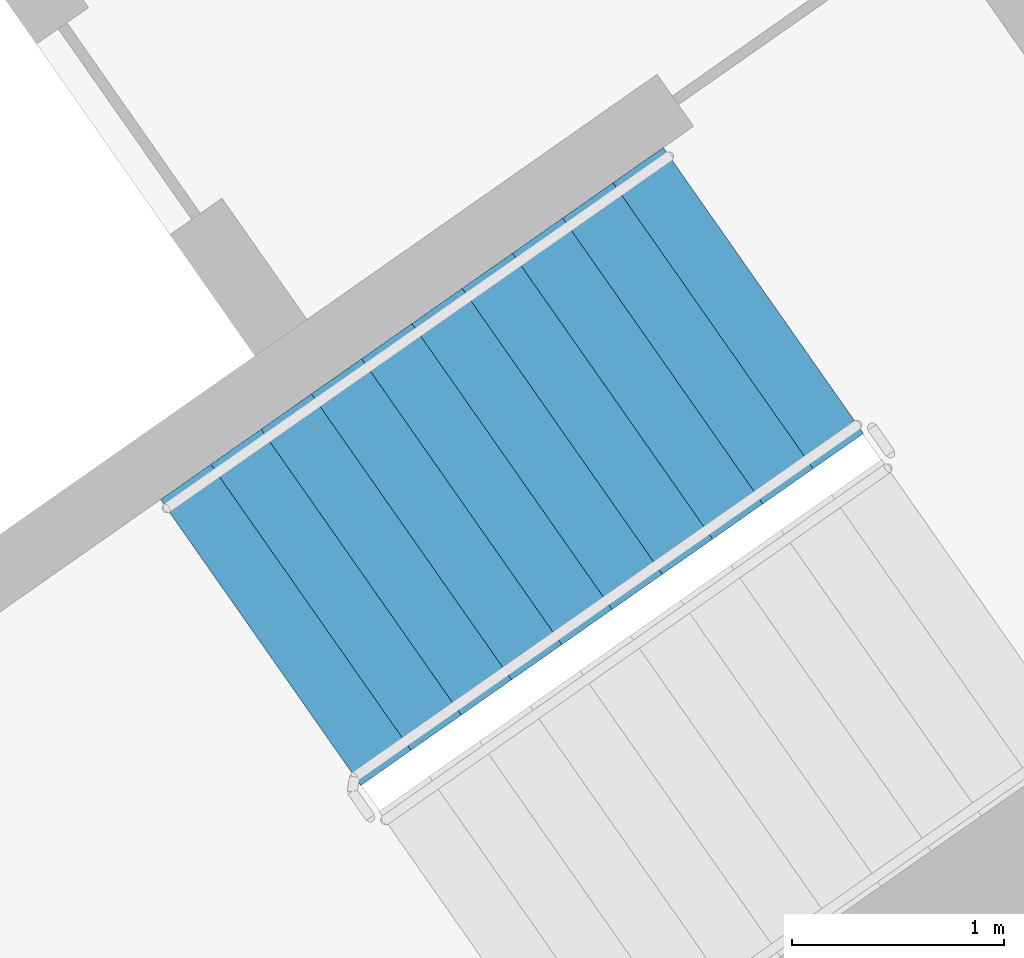
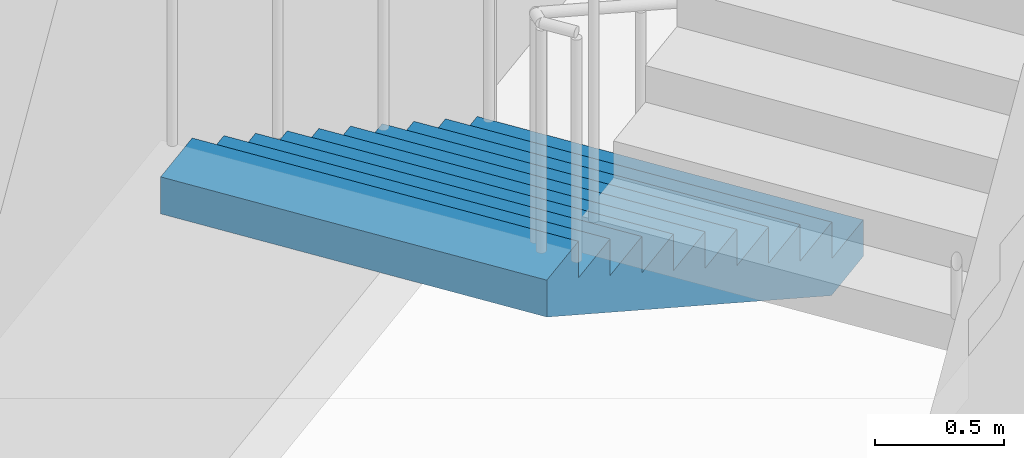
# One storey, part 14 of 26: 1 stair flight, 1 element without a shape of its own.
"""IFC4 building model written with IfcOpenShell, lengths in metres."""

from ifc_helpers import new_model, si_unit, direction, frame, origin, place, context, subcontext, project, spatial, faceted_brep, material, type_object, element, aggregate, save


model = new_model("IFC4")

# Units and contexts
model_context = context("Model", 3, precision=1e-05, world=origin(), true_north=direction((0.0, 1.0)))
body_context = subcontext(model_context, "Body", "Model", "MODEL_VIEW")
ifc_project = project(units=[si_unit("LENGTHUNIT", "METRE"), si_unit("AREAUNIT", "SQUARE_METRE"), si_unit("VOLUMEUNIT", "CUBIC_METRE"), si_unit("PLANEANGLEUNIT", "RADIAN"), si_unit("MASSUNIT", "GRAM", prefix="KILO")], contexts=[model_context])

# Site, building, storey
site_placement = place(None, origin())
site = spatial("IfcSite", under=ifc_project, at=site_placement, CompositionType="ELEMENT")
building_placement = place(site_placement, origin())
building = spatial("IfcBuilding", under=site, at=building_placement, Name="Qamariyya Broadcast Tower", CompositionType="ELEMENT")
storey_placement = place(building_placement, frame((0.0, 0.0, 160.699951171875)))
storey = spatial("IfcBuildingStorey", under=building, at=storey_placement, Name="L37", CompositionType="ELEMENT", Elevation=160.699951171875)

# Stair, stair flight
ifc_material = material(Name="Concrete C50/60", Category="concrete")
stair_type = type_object("IfcStairType", Name="Exit stair 22 risers of 173 mm", PredefinedType="HALF_TURN_STAIR", material=ifc_material)
stair_placement = place(storey_placement, origin())
stair = element("IfcStair", 1, at=stair_placement, inside=storey, type_object=stair_type, Name="L37 Stair E1", PredefinedType="HALF_TURN_STAIR")
stair_flight_type = type_object("IfcStairFlightType", Name="Exit stair flight 11 risers of 173 mm", PredefinedType="STRAIGHT", material=ifc_material)
stair_flight_placement = place(storey_placement, frame((46.036376953125, -55.508056640625, 0.0), z_axis=(0.0, 0.0, 1.0), x_axis=(-0.819152044289, -0.573576436351, 0.0)))
stair_flight = element("IfcStairFlight", 2, at=stair_flight_placement, type_object=stair_flight_type, Name="ST-E1 flight 1", NumberOfRisers=11, NumberOfTreads=10, PredefinedType="STRAIGHT", RiserHeight=0.172727273, TreadLength=0.29, context=body_context, shape_type="Brep", body=[
    faceted_brep([(0.0, 0.824951171875, 0.0), (0.0, 0.824951171875, 0.172607421875), (0.2900390625, 0.824951171875, 0.172607421875), (0.2900390625, 0.824951171875, 0.345458984375), (0.580078125, 0.824951171875, 0.345458984375), (0.580078125, 0.824951171875, 0.51806640625), (0.8701171875, 0.824951171875, 0.51806640625), (0.8701171875, 0.824951171875, 0.69091796875), (1.159912109375, 0.824951171875, 0.69091796875), (1.159912109375, 0.824951171875, 0.863525390625), (1.449951171875, 0.824951171875, 0.863525390625), (1.449951171875, 0.824951171875, 1.036376953125), (1.739990234375, 0.824951171875, 1.036376953125), (1.739990234375, 0.824951171875, 1.208984375), (2.030029296875, 0.824951171875, 1.208984375), (2.030029296875, 0.824951171875, 1.3818359375), (2.320068359375, 0.824951171875, 1.3818359375), (2.320068359375, 0.824951171875, 1.554443359375), (2.610107421875, 0.824951171875, 1.554443359375), (2.610107421875, 0.824951171875, 1.727294921875), (2.89990234375, 0.824951171875, 1.727294921875), (2.89990234375, 0.824951171875, 1.552734375), (0.29296875, 0.824951171875, 0.0), (0.29296875, -0.824951171875, 0.0), (2.89990234375, -0.824951171875, 1.552734375), (2.89990234375, -0.824951171875, 1.727294921875), (2.610107421875, -0.824951171875, 1.727294921875), (2.610107421875, -0.824951171875, 1.554443359375), (2.320068359375, -0.824951171875, 1.554443359375), (2.320068359375, -0.824951171875, 1.3818359375), (2.030029296875, -0.824951171875, 1.3818359375), (2.030029296875, -0.824951171875, 1.208984375), (1.739990234375, -0.824951171875, 1.208984375), (1.739990234375, -0.824951171875, 1.036376953125), (1.449951171875, -0.824951171875, 1.036376953125), (1.449951171875, -0.824951171875, 0.863525390625), (1.159912109375, -0.824951171875, 0.863525390625), (1.159912109375, -0.824951171875, 0.69091796875), (0.8701171875, -0.824951171875, 0.69091796875), (0.8701171875, -0.824951171875, 0.51806640625), (0.580078125, -0.824951171875, 0.51806640625), (0.580078125, -0.824951171875, 0.345458984375), (0.2900390625, -0.824951171875, 0.345458984375), (0.2900390625, -0.824951171875, 0.172607421875), (0.0, -0.824951171875, 0.172607421875), (0.0, -0.824951171875, 0.0), (0.0, 0.10009765625, 0.0), (0.0, 0.086669921875, 0.0), (0.0, 0.0732421875, 0.0), (0.0, 0.06005859375, 0.0), (0.0, 0.046630859375, 0.0), (0.0, 0.033447265625, 0.0), (0.0, 0.02001953125, 0.0), (0.0, 0.006591796875, 0.0), (0.0, -0.006591796875, 0.0), (0.0, -0.02001953125, 0.0), (0.0, -0.033447265625, 0.0), (0.0, -0.046630859375, 0.0), (0.0, -0.06005859375, 0.0), (0.0, -0.0732421875, 0.0), (0.0, -0.086669921875, 0.0), (0.0, -0.10009765625, 0.0), (0.0, -0.10009765625, 0.172607421875), (0.0, -0.086669921875, 0.172607421875), (0.0, -0.0732421875, 0.172607421875), (0.0, -0.06005859375, 0.172607421875), (0.0, -0.046630859375, 0.172607421875), (0.0, -0.033447265625, 0.172607421875), (0.0, -0.02001953125, 0.172607421875), (0.0, -0.006591796875, 0.172607421875), (0.0, 0.006591796875, 0.172607421875), (0.0, 0.02001953125, 0.172607421875), (0.0, 0.033447265625, 0.172607421875), (0.0, 0.046630859375, 0.172607421875), (0.0, 0.06005859375, 0.172607421875), (0.0, 0.0732421875, 0.172607421875), (0.0, 0.086669921875, 0.172607421875), (0.0, 0.10009765625, 0.172607421875), (0.2900390625, -0.10009765625, 0.172607421875), (0.2900390625, -0.086669921875, 0.172607421875), (0.2900390625, -0.0732421875, 0.172607421875), (0.2900390625, -0.06005859375, 0.172607421875), (0.2900390625, -0.046630859375, 0.172607421875), (0.2900390625, -0.033447265625, 0.172607421875), (0.2900390625, -0.02001953125, 0.172607421875), (0.2900390625, -0.006591796875, 0.172607421875), (0.2900390625, 0.006591796875, 0.172607421875), (0.2900390625, 0.02001953125, 0.172607421875), (0.2900390625, 0.033447265625, 0.172607421875), (0.2900390625, 0.046630859375, 0.172607421875), (0.2900390625, 0.06005859375, 0.172607421875), (0.2900390625, 0.0732421875, 0.172607421875), (0.2900390625, 0.086669921875, 0.172607421875), (0.2900390625, 0.10009765625, 0.172607421875), (0.2900390625, -0.10009765625, 0.345458984375), (0.2900390625, -0.086669921875, 0.345458984375), (0.2900390625, -0.0732421875, 0.345458984375), (0.2900390625, -0.06005859375, 0.345458984375), (0.2900390625, -0.046630859375, 0.345458984375), (0.2900390625, -0.033447265625, 0.345458984375), (0.2900390625, -0.02001953125, 0.345458984375), (0.2900390625, -0.006591796875, 0.345458984375), (0.2900390625, 0.006591796875, 0.345458984375), (0.2900390625, 0.02001953125, 0.345458984375), (0.2900390625, 0.033447265625, 0.345458984375), (0.2900390625, 0.046630859375, 0.345458984375), (0.2900390625, 0.06005859375, 0.345458984375), (0.2900390625, 0.0732421875, 0.345458984375), (0.2900390625, 0.086669921875, 0.345458984375), (0.2900390625, 0.10009765625, 0.345458984375), (0.580078125, -0.10009765625, 0.345458984375), (0.580078125, -0.086669921875, 0.345458984375), (0.580078125, -0.0732421875, 0.345458984375), (0.580078125, -0.06005859375, 0.345458984375), (0.580078125, -0.046630859375, 0.345458984375), (0.580078125, -0.033447265625, 0.345458984375), (0.580078125, -0.02001953125, 0.345458984375), (0.580078125, -0.006591796875, 0.345458984375), (0.580078125, 0.006591796875, 0.345458984375), (0.580078125, 0.02001953125, 0.345458984375), (0.580078125, 0.033447265625, 0.345458984375), (0.580078125, 0.046630859375, 0.345458984375), (0.580078125, 0.06005859375, 0.345458984375), (0.580078125, 0.0732421875, 0.345458984375), (0.580078125, 0.086669921875, 0.345458984375), (0.580078125, 0.10009765625, 0.345458984375), (0.580078125, -0.10009765625, 0.51806640625), (0.580078125, -0.086669921875, 0.51806640625), (0.580078125, -0.0732421875, 0.51806640625), (0.580078125, -0.06005859375, 0.51806640625), (0.580078125, -0.046630859375, 0.51806640625), (0.580078125, -0.033447265625, 0.51806640625), (0.580078125, -0.02001953125, 0.51806640625), (0.580078125, -0.006591796875, 0.51806640625), (0.580078125, 0.006591796875, 0.51806640625), (0.580078125, 0.02001953125, 0.51806640625), (0.580078125, 0.033447265625, 0.51806640625), (0.580078125, 0.046630859375, 0.51806640625), (0.580078125, 0.06005859375, 0.51806640625), (0.580078125, 0.0732421875, 0.51806640625), (0.580078125, 0.086669921875, 0.51806640625), (0.580078125, 0.10009765625, 0.51806640625), (0.8701171875, -0.10009765625, 0.51806640625), (0.8701171875, -0.086669921875, 0.51806640625), (0.8701171875, -0.0732421875, 0.51806640625), (0.8701171875, -0.06005859375, 0.51806640625), (0.8701171875, -0.046630859375, 0.51806640625), (0.8701171875, -0.033447265625, 0.51806640625), (0.8701171875, -0.02001953125, 0.51806640625), (0.8701171875, -0.006591796875, 0.51806640625), (0.8701171875, 0.006591796875, 0.51806640625), (0.8701171875, 0.02001953125, 0.51806640625), (0.8701171875, 0.033447265625, 0.51806640625), (0.8701171875, 0.046630859375, 0.51806640625), (0.8701171875, 0.06005859375, 0.51806640625), (0.8701171875, 0.0732421875, 0.51806640625), (0.8701171875, 0.086669921875, 0.51806640625), (0.8701171875, 0.10009765625, 0.51806640625), (0.8701171875, -0.10009765625, 0.69091796875), (0.8701171875, -0.086669921875, 0.69091796875), (0.8701171875, -0.0732421875, 0.69091796875), (0.8701171875, -0.06005859375, 0.69091796875), (0.8701171875, -0.046630859375, 0.69091796875), (0.8701171875, -0.033447265625, 0.69091796875), (0.8701171875, -0.02001953125, 0.69091796875), (0.8701171875, -0.006591796875, 0.69091796875), (0.8701171875, 0.006591796875, 0.69091796875), (0.8701171875, 0.02001953125, 0.69091796875), (0.8701171875, 0.033447265625, 0.69091796875), (0.8701171875, 0.046630859375, 0.69091796875), (0.8701171875, 0.06005859375, 0.69091796875), (0.8701171875, 0.0732421875, 0.69091796875), (0.8701171875, 0.086669921875, 0.69091796875), (0.8701171875, 0.10009765625, 0.69091796875), (1.159912109375, -0.10009765625, 0.69091796875), (1.159912109375, -0.086669921875, 0.69091796875), (1.159912109375, -0.0732421875, 0.69091796875), (1.159912109375, -0.06005859375, 0.69091796875), (1.159912109375, -0.046630859375, 0.69091796875), (1.159912109375, -0.033447265625, 0.69091796875), (1.159912109375, -0.02001953125, 0.69091796875), (1.159912109375, -0.006591796875, 0.69091796875), (1.159912109375, 0.006591796875, 0.69091796875), (1.159912109375, 0.02001953125, 0.69091796875), (1.159912109375, 0.033447265625, 0.69091796875), (1.159912109375, 0.046630859375, 0.69091796875), (1.159912109375, 0.06005859375, 0.69091796875), (1.159912109375, 0.0732421875, 0.69091796875), (1.159912109375, 0.086669921875, 0.69091796875), (1.159912109375, 0.10009765625, 0.69091796875), (1.159912109375, -0.10009765625, 0.863525390625), (1.159912109375, -0.086669921875, 0.863525390625), (1.159912109375, -0.0732421875, 0.863525390625), (1.159912109375, -0.06005859375, 0.863525390625), (1.159912109375, -0.046630859375, 0.863525390625), (1.159912109375, -0.033447265625, 0.863525390625), (1.159912109375, -0.02001953125, 0.863525390625), (1.159912109375, -0.006591796875, 0.863525390625), (1.159912109375, 0.006591796875, 0.863525390625), (1.159912109375, 0.02001953125, 0.863525390625), (1.159912109375, 0.033447265625, 0.863525390625), (1.159912109375, 0.046630859375, 0.863525390625), (1.159912109375, 0.06005859375, 0.863525390625), (1.159912109375, 0.0732421875, 0.863525390625), (1.159912109375, 0.086669921875, 0.863525390625), (1.159912109375, 0.10009765625, 0.863525390625), (1.449951171875, -0.10009765625, 0.863525390625), (1.449951171875, -0.086669921875, 0.863525390625), (1.449951171875, -0.0732421875, 0.863525390625), (1.449951171875, -0.06005859375, 0.863525390625), (1.449951171875, -0.046630859375, 0.863525390625), (1.449951171875, -0.033447265625, 0.863525390625), (1.449951171875, -0.02001953125, 0.863525390625), (1.449951171875, -0.006591796875, 0.863525390625), (1.449951171875, 0.006591796875, 0.863525390625), (1.449951171875, 0.02001953125, 0.863525390625), (1.449951171875, 0.033447265625, 0.863525390625), (1.449951171875, 0.046630859375, 0.863525390625), (1.449951171875, 0.06005859375, 0.863525390625), (1.449951171875, 0.0732421875, 0.863525390625), (1.449951171875, 0.086669921875, 0.863525390625), (1.449951171875, 0.10009765625, 0.863525390625), (1.449951171875, -0.10009765625, 1.036376953125), (1.449951171875, -0.086669921875, 1.036376953125), (1.449951171875, -0.0732421875, 1.036376953125), (1.449951171875, -0.06005859375, 1.036376953125), (1.449951171875, -0.046630859375, 1.036376953125), (1.449951171875, -0.033447265625, 1.036376953125), (1.449951171875, -0.02001953125, 1.036376953125), (1.449951171875, -0.006591796875, 1.036376953125), (1.449951171875, 0.006591796875, 1.036376953125), (1.449951171875, 0.02001953125, 1.036376953125), (1.449951171875, 0.033447265625, 1.036376953125), (1.449951171875, 0.046630859375, 1.036376953125), (1.449951171875, 0.06005859375, 1.036376953125), (1.449951171875, 0.0732421875, 1.036376953125), (1.449951171875, 0.086669921875, 1.036376953125), (1.449951171875, 0.10009765625, 1.036376953125), (1.739990234375, -0.10009765625, 1.036376953125), (1.739990234375, -0.086669921875, 1.036376953125), (1.739990234375, -0.0732421875, 1.036376953125), (1.739990234375, -0.06005859375, 1.036376953125), (1.739990234375, -0.046630859375, 1.036376953125), (1.739990234375, -0.033447265625, 1.036376953125), (1.739990234375, -0.02001953125, 1.036376953125), (1.739990234375, -0.006591796875, 1.036376953125), (1.739990234375, 0.006591796875, 1.036376953125), (1.739990234375, 0.02001953125, 1.036376953125), (1.739990234375, 0.033447265625, 1.036376953125), (1.739990234375, 0.046630859375, 1.036376953125), (1.739990234375, 0.06005859375, 1.036376953125), (1.739990234375, 0.0732421875, 1.036376953125), (1.739990234375, 0.086669921875, 1.036376953125), (1.739990234375, 0.10009765625, 1.036376953125), (1.739990234375, -0.10009765625, 1.208984375), (1.739990234375, -0.086669921875, 1.208984375), (1.739990234375, -0.0732421875, 1.208984375), (1.739990234375, -0.06005859375, 1.208984375), (1.739990234375, -0.046630859375, 1.208984375), (1.739990234375, -0.033447265625, 1.208984375), (1.739990234375, -0.02001953125, 1.208984375), (1.739990234375, -0.006591796875, 1.208984375), (1.739990234375, 0.006591796875, 1.208984375), (1.739990234375, 0.02001953125, 1.208984375), (1.739990234375, 0.033447265625, 1.208984375), (1.739990234375, 0.046630859375, 1.208984375), (1.739990234375, 0.06005859375, 1.208984375), (1.739990234375, 0.0732421875, 1.208984375), (1.739990234375, 0.086669921875, 1.208984375), (1.739990234375, 0.10009765625, 1.208984375), (2.030029296875, -0.10009765625, 1.208984375), (2.030029296875, -0.086669921875, 1.208984375), (2.030029296875, -0.0732421875, 1.208984375), (2.030029296875, -0.06005859375, 1.208984375), (2.030029296875, -0.046630859375, 1.208984375), (2.030029296875, -0.033447265625, 1.208984375), (2.030029296875, -0.02001953125, 1.208984375), (2.030029296875, -0.006591796875, 1.208984375), (2.030029296875, 0.006591796875, 1.208984375), (2.030029296875, 0.02001953125, 1.208984375), (2.030029296875, 0.033447265625, 1.208984375), (2.030029296875, 0.046630859375, 1.208984375), (2.030029296875, 0.06005859375, 1.208984375), (2.030029296875, 0.0732421875, 1.208984375), (2.030029296875, 0.086669921875, 1.208984375), (2.030029296875, 0.10009765625, 1.208984375), (2.030029296875, -0.10009765625, 1.3818359375), (2.030029296875, -0.086669921875, 1.3818359375), (2.030029296875, -0.0732421875, 1.3818359375), (2.030029296875, -0.06005859375, 1.3818359375), (2.030029296875, -0.046630859375, 1.3818359375), (2.030029296875, -0.033447265625, 1.3818359375), (2.030029296875, -0.02001953125, 1.3818359375), (2.030029296875, -0.006591796875, 1.3818359375), (2.030029296875, 0.006591796875, 1.3818359375), (2.030029296875, 0.02001953125, 1.3818359375), (2.030029296875, 0.033447265625, 1.3818359375), (2.030029296875, 0.046630859375, 1.3818359375), (2.030029296875, 0.06005859375, 1.3818359375), (2.030029296875, 0.0732421875, 1.3818359375), (2.030029296875, 0.086669921875, 1.3818359375), (2.030029296875, 0.10009765625, 1.3818359375), (2.320068359375, -0.10009765625, 1.3818359375), (2.320068359375, -0.086669921875, 1.3818359375), (2.320068359375, -0.0732421875, 1.3818359375), (2.320068359375, -0.06005859375, 1.3818359375), (2.320068359375, -0.046630859375, 1.3818359375), (2.320068359375, -0.033447265625, 1.3818359375), (2.320068359375, -0.02001953125, 1.3818359375), (2.320068359375, -0.006591796875, 1.3818359375), (2.320068359375, 0.006591796875, 1.3818359375), (2.320068359375, 0.02001953125, 1.3818359375), (2.320068359375, 0.033447265625, 1.3818359375), (2.320068359375, 0.046630859375, 1.3818359375), (2.320068359375, 0.06005859375, 1.3818359375), (2.320068359375, 0.0732421875, 1.3818359375), (2.320068359375, 0.086669921875, 1.3818359375), (2.320068359375, 0.10009765625, 1.3818359375), (2.320068359375, -0.10009765625, 1.554443359375), (2.320068359375, -0.086669921875, 1.554443359375), (2.320068359375, -0.0732421875, 1.554443359375), (2.320068359375, -0.06005859375, 1.554443359375), (2.320068359375, -0.046630859375, 1.554443359375), (2.320068359375, -0.033447265625, 1.554443359375), (2.320068359375, -0.02001953125, 1.554443359375), (2.320068359375, -0.006591796875, 1.554443359375), (2.320068359375, 0.006591796875, 1.554443359375), (2.320068359375, 0.02001953125, 1.554443359375), (2.320068359375, 0.033447265625, 1.554443359375), (2.320068359375, 0.046630859375, 1.554443359375), (2.320068359375, 0.06005859375, 1.554443359375), (2.320068359375, 0.0732421875, 1.554443359375), (2.320068359375, 0.086669921875, 1.554443359375), (2.320068359375, 0.10009765625, 1.554443359375), (2.610107421875, -0.10009765625, 1.554443359375), (2.610107421875, -0.086669921875, 1.554443359375), (2.610107421875, -0.0732421875, 1.554443359375), (2.610107421875, -0.06005859375, 1.554443359375), (2.610107421875, -0.046630859375, 1.554443359375), (2.610107421875, -0.033447265625, 1.554443359375), (2.610107421875, -0.02001953125, 1.554443359375), (2.610107421875, -0.006591796875, 1.554443359375), (2.610107421875, 0.006591796875, 1.554443359375), (2.610107421875, 0.02001953125, 1.554443359375), (2.610107421875, 0.033447265625, 1.554443359375), (2.610107421875, 0.046630859375, 1.554443359375), (2.610107421875, 0.06005859375, 1.554443359375), (2.610107421875, 0.0732421875, 1.554443359375), (2.610107421875, 0.086669921875, 1.554443359375), (2.610107421875, 0.10009765625, 1.554443359375), (2.610107421875, -0.10009765625, 1.727294921875), (2.610107421875, -0.086669921875, 1.727294921875), (2.610107421875, -0.0732421875, 1.727294921875), (2.610107421875, -0.06005859375, 1.727294921875), (2.610107421875, -0.046630859375, 1.727294921875), (2.610107421875, -0.033447265625, 1.727294921875), (2.610107421875, -0.02001953125, 1.727294921875), (2.610107421875, -0.006591796875, 1.727294921875), (2.610107421875, 0.006591796875, 1.727294921875), (2.610107421875, 0.02001953125, 1.727294921875), (2.610107421875, 0.033447265625, 1.727294921875), (2.610107421875, 0.046630859375, 1.727294921875), (2.610107421875, 0.06005859375, 1.727294921875), (2.610107421875, 0.0732421875, 1.727294921875), (2.610107421875, 0.086669921875, 1.727294921875), (2.610107421875, 0.10009765625, 1.727294921875), (2.89990234375, -0.10009765625, 1.727294921875), (2.89990234375, -0.086669921875, 1.727294921875), (2.89990234375, -0.0732421875, 1.727294921875), (2.89990234375, -0.06005859375, 1.727294921875), (2.89990234375, -0.046630859375, 1.727294921875), (2.89990234375, -0.033447265625, 1.727294921875), (2.89990234375, -0.02001953125, 1.727294921875), (2.89990234375, -0.006591796875, 1.727294921875), (2.89990234375, 0.006591796875, 1.727294921875), (2.89990234375, 0.02001953125, 1.727294921875), (2.89990234375, 0.033447265625, 1.727294921875), (2.89990234375, 0.046630859375, 1.727294921875), (2.89990234375, 0.06005859375, 1.727294921875), (2.89990234375, 0.0732421875, 1.727294921875), (2.89990234375, 0.086669921875, 1.727294921875), (2.89990234375, 0.10009765625, 1.727294921875), (2.89990234375, -0.10009765625, 1.552734375), (2.89990234375, -0.086669921875, 1.552734375), (2.89990234375, -0.0732421875, 1.552734375), (2.89990234375, -0.06005859375, 1.552734375), (2.89990234375, -0.046630859375, 1.552734375), (2.89990234375, -0.033447265625, 1.552734375), (2.89990234375, -0.02001953125, 1.552734375), (2.89990234375, -0.006591796875, 1.552734375), (2.89990234375, 0.006591796875, 1.552734375), (2.89990234375, 0.02001953125, 1.552734375), (2.89990234375, 0.033447265625, 1.552734375), (2.89990234375, 0.046630859375, 1.552734375), (2.89990234375, 0.06005859375, 1.552734375), (2.89990234375, 0.0732421875, 1.552734375), (2.89990234375, 0.086669921875, 1.552734375), (2.89990234375, 0.10009765625, 1.552734375), (0.29296875, -0.10009765625, 0.0), (0.29296875, -0.086669921875, 0.0), (0.29296875, -0.0732421875, 0.0), (0.29296875, -0.06005859375, 0.0), (0.29296875, -0.046630859375, 0.0), (0.29296875, -0.033447265625, 0.0), (0.29296875, -0.02001953125, 0.0), (0.29296875, -0.006591796875, 0.0), (0.29296875, 0.006591796875, 0.0), (0.29296875, 0.02001953125, 0.0), (0.29296875, 0.033447265625, 0.0), (0.29296875, 0.046630859375, 0.0), (0.29296875, 0.06005859375, 0.0), (0.29296875, 0.0732421875, 0.0), (0.29296875, 0.086669921875, 0.0), (0.29296875, 0.10009765625, 0.0)], [[[0, 1, 2, 3, 4, 5, 6, 7, 8, 9, 10, 11, 12, 13, 14, 15, 16, 17, 18, 19, 20, 21, 22]], [[23, 24, 25, 26, 27, 28, 29, 30, 31, 32, 33, 34, 35, 36, 37, 38, 39, 40, 41, 42, 43, 44, 45]], [[0, 46, 47, 48, 49, 50, 51, 52, 53, 54, 55, 56, 57, 58, 59, 60, 61, 45, 44, 62, 63, 64, 65, 66, 67, 68, 69, 70, 71, 72, 73, 74, 75, 76, 77, 1]], [[1, 77, 76, 75, 74, 73, 72, 71, 70, 69, 68, 67, 66, 65, 64, 63, 62, 44, 43, 78, 79, 80, 81, 82, 83, 84, 85, 86, 87, 88, 89, 90, 91, 92, 93, 2]], [[2, 93, 92, 91, 90, 89, 88, 87, 86, 85, 84, 83, 82, 81, 80, 79, 78, 43, 42, 94, 95, 96, 97, 98, 99, 100, 101, 102, 103, 104, 105, 106, 107, 108, 109, 3]], [[3, 109, 108, 107, 106, 105, 104, 103, 102, 101, 100, 99, 98, 97, 96, 95, 94, 42, 41, 110, 111, 112, 113, 114, 115, 116, 117, 118, 119, 120, 121, 122, 123, 124, 125, 4]], [[4, 125, 124, 123, 122, 121, 120, 119, 118, 117, 116, 115, 114, 113, 112, 111, 110, 41, 40, 126, 127, 128, 129, 130, 131, 132, 133, 134, 135, 136, 137, 138, 139, 140, 141, 5]], [[5, 141, 140, 139, 138, 137, 136, 135, 134, 133, 132, 131, 130, 129, 128, 127, 126, 40, 39, 142, 143, 144, 145, 146, 147, 148, 149, 150, 151, 152, 153, 154, 155, 156, 157, 6]], [[6, 157, 156, 155, 154, 153, 152, 151, 150, 149, 148, 147, 146, 145, 144, 143, 142, 39, 38, 158, 159, 160, 161, 162, 163, 164, 165, 166, 167, 168, 169, 170, 171, 172, 173, 7]], [[7, 173, 172, 171, 170, 169, 168, 167, 166, 165, 164, 163, 162, 161, 160, 159, 158, 38, 37, 174, 175, 176, 177, 178, 179, 180, 181, 182, 183, 184, 185, 186, 187, 188, 189, 8]], [[8, 189, 188, 187, 186, 185, 184, 183, 182, 181, 180, 179, 178, 177, 176, 175, 174, 37, 36, 190, 191, 192, 193, 194, 195, 196, 197, 198, 199, 200, 201, 202, 203, 204, 205, 9]], [[9, 205, 204, 203, 202, 201, 200, 199, 198, 197, 196, 195, 194, 193, 192, 191, 190, 36, 35, 206, 207, 208, 209, 210, 211, 212, 213, 214, 215, 216, 217, 218, 219, 220, 221, 10]], [[10, 221, 220, 219, 218, 217, 216, 215, 214, 213, 212, 211, 210, 209, 208, 207, 206, 35, 34, 222, 223, 224, 225, 226, 227, 228, 229, 230, 231, 232, 233, 234, 235, 236, 237, 11]], [[11, 237, 236, 235, 234, 233, 232, 231, 230, 229, 228, 227, 226, 225, 224, 223, 222, 34, 33, 238, 239, 240, 241, 242, 243, 244, 245, 246, 247, 248, 249, 250, 251, 252, 253, 12]], [[12, 253, 252, 251, 250, 249, 248, 247, 246, 245, 244, 243, 242, 241, 240, 239, 238, 33, 32, 254, 255, 256, 257, 258, 259, 260, 261, 262, 263, 264, 265, 266, 267, 268, 269, 13]], [[13, 269, 268, 267, 266, 265, 264, 263, 262, 261, 260, 259, 258, 257, 256, 255, 254, 32, 31, 270, 271, 272, 273, 274, 275, 276, 277, 278, 279, 280, 281, 282, 283, 284, 285, 14]], [[14, 285, 284, 283, 282, 281, 280, 279, 278, 277, 276, 275, 274, 273, 272, 271, 270, 31, 30, 286, 287, 288, 289, 290, 291, 292, 293, 294, 295, 296, 297, 298, 299, 300, 301, 15]], [[15, 301, 300, 299, 298, 297, 296, 295, 294, 293, 292, 291, 290, 289, 288, 287, 286, 30, 29, 302, 303, 304, 305, 306, 307, 308, 309, 310, 311, 312, 313, 314, 315, 316, 317, 16]], [[16, 317, 316, 315, 314, 313, 312, 311, 310, 309, 308, 307, 306, 305, 304, 303, 302, 29, 28, 318, 319, 320, 321, 322, 323, 324, 325, 326, 327, 328, 329, 330, 331, 332, 333, 17]], [[17, 333, 332, 331, 330, 329, 328, 327, 326, 325, 324, 323, 322, 321, 320, 319, 318, 28, 27, 334, 335, 336, 337, 338, 339, 340, 341, 342, 343, 344, 345, 346, 347, 348, 349, 18]], [[18, 349, 348, 347, 346, 345, 344, 343, 342, 341, 340, 339, 338, 337, 336, 335, 334, 27, 26, 350, 351, 352, 353, 354, 355, 356, 357, 358, 359, 360, 361, 362, 363, 364, 365, 19]], [[19, 365, 364, 363, 362, 361, 360, 359, 358, 357, 356, 355, 354, 353, 352, 351, 350, 26, 25, 366, 367, 368, 369, 370, 371, 372, 373, 374, 375, 376, 377, 378, 379, 380, 381, 20]], [[20, 381, 380, 379, 378, 377, 376, 375, 374, 373, 372, 371, 370, 369, 368, 367, 366, 25, 24, 382, 383, 384, 385, 386, 387, 388, 389, 390, 391, 392, 393, 394, 395, 396, 397, 21]], [[21, 397, 396, 395, 394, 393, 392, 391, 390, 389, 388, 387, 386, 385, 384, 383, 382, 24, 23, 398, 399, 400, 401, 402, 403, 404, 405, 406, 407, 408, 409, 410, 411, 412, 413, 22]], [[22, 413, 412, 411, 410, 409, 408, 407, 406, 405, 404, 403, 402, 401, 400, 399, 398, 23, 45, 61, 60, 59, 58, 57, 56, 55, 54, 53, 52, 51, 50, 49, 48, 47, 46, 0]]]),
])
aggregate(stair, [stair_flight])

save(model, "model.ifc")
